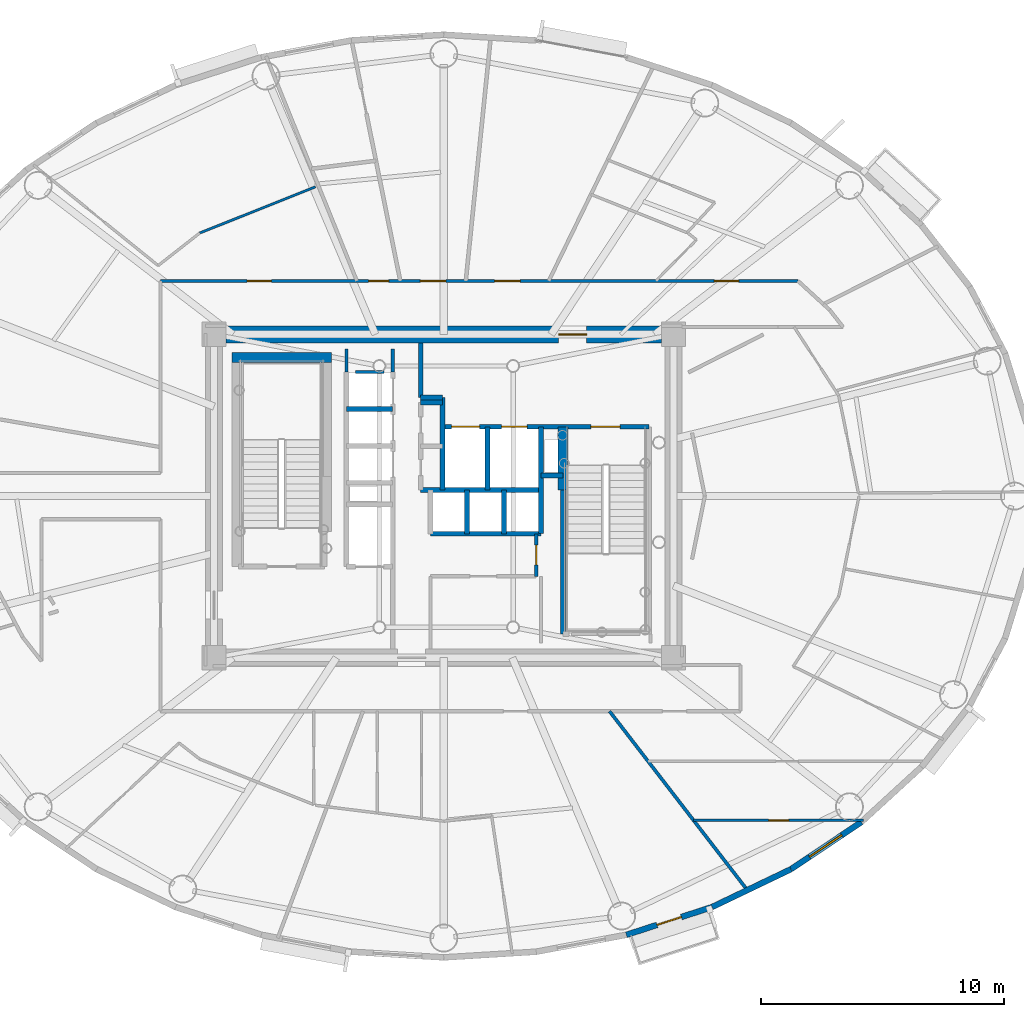
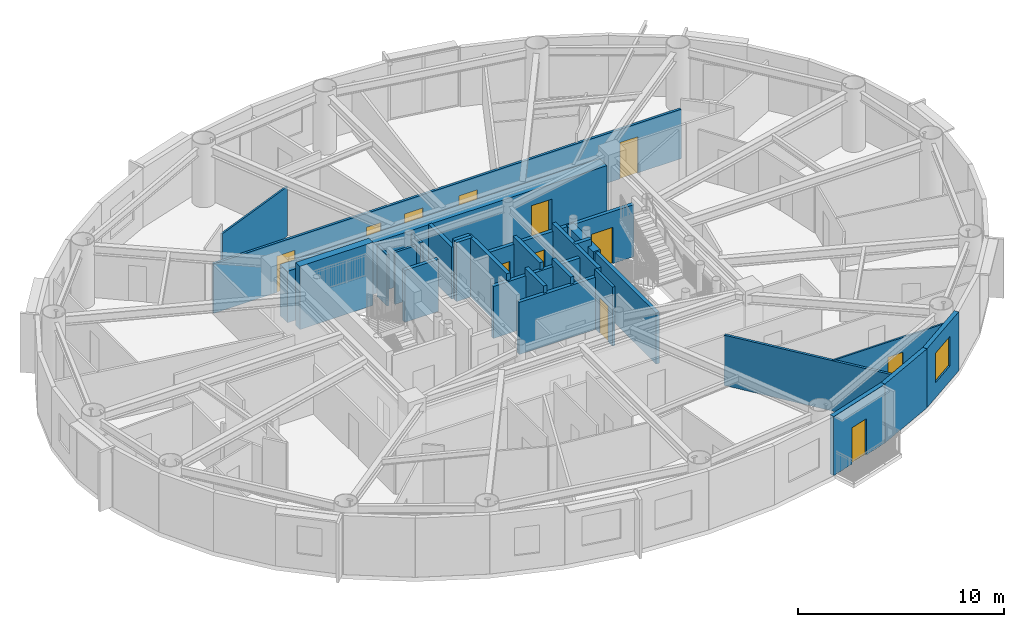
# One storey, part 8 of 18: 28 walls, 12 doors, 1 window, 13 openings.
"""IFC4 building model written with IfcOpenShell, lengths in metres."""

from ifc_helpers import new_model, si_unit, direction, frame, frame_2d, origin, origin_2d, place, context, subcontext, project, spatial, rectangle, extrude, source, transform, mapped, material, layer, layer_set, type_object, element, fill, save


model = new_model("IFC4")

# Units and contexts
model_context = context("Model", 3, precision=1e-05, world=origin(), true_north=direction((0.0, 1.0)))
body_context = subcontext(model_context, "Body", "Model", "MODEL_VIEW")
ifc_project = project(units=[si_unit("LENGTHUNIT", "METRE"), si_unit("AREAUNIT", "SQUARE_METRE"), si_unit("VOLUMEUNIT", "CUBIC_METRE"), si_unit("PLANEANGLEUNIT", "RADIAN"), si_unit("MASSUNIT", "GRAM", prefix="KILO")], contexts=[model_context])

# Site, building, storey
site_placement = place(None, origin())
site = spatial("IfcSite", under=ifc_project, at=site_placement, CompositionType="ELEMENT")
building_placement = place(site_placement, origin())
building = spatial("IfcBuilding", under=site, at=building_placement, Name="Linh Dai School and Residence Tower", CompositionType="ELEMENT")
storey_placement = place(building_placement, frame((0.0, 0.0, 225.300048828125)))
storey = spatial("IfcBuildingStorey", under=building, at=storey_placement, Name="L55", CompositionType="ELEMENT", Elevation=225.300048828125)

# Wall, opening, door
ifc_material_1 = material(Name="Precast Concrete B45 (C35/45)", Category="concrete")
ifc_layer_1 = layer(ifc_material_1, 0.239990234375)
ifc_layer_set_1 = layer_set([ifc_layer_1], Name="Precast Concrete B45 (C35/45)")
wall_type_1 = type_object("IfcWallType", Name="EW-TC-240", PredefinedType="SOLIDWALL", material=ifc_layer_set_1)
wall_1_placement = place(storey_placement, frame((47.031005859375, 10.093505859375, 0.0), z_axis=(0.0, 0.0, 1.0), x_axis=(-0.951210789182, -0.308541787354, 0.0)))
wall_1 = element("IfcWall", 1, at=wall_1_placement, inside=storey, type_object=wall_type_1, Name="L55 Terracotta Exterior Wall 33", PredefinedType="SOLIDWALL", context=body_context, shape_type="SweptSolid", body=[
    extrude(rectangle(XDim=3.702392578125, YDim=0.239990234375, at=frame_2d((1.85107421875, 0.0))), origin(), (0.0, 0.0, 1.0), 3.5),
])
opening_1_placement = place(wall_1_placement, frame((1.326171875, 0.0, 0.0)))
opening_1 = element("IfcOpeningElement", 2, at=opening_1_placement, cuts=wall_1, Name="Opening BD1", PredefinedType="OPENING", context=body_context, shape_type="SweptSolid", body=[
    extrude(rectangle(XDim=1.050048828125, YDim=2.14990234375, at=origin_2d()), frame((0.52490234375, 0.1298828125, 1.074951171875), z_axis=(0.0, -1.0, 0.0), x_axis=(1.0, 0.0, 0.0)), (0.0, 0.0, 1.0), 0.260009765625),
])
ifc_material_2 = material(Name="Double-Glazed Balcony Door", Category="glass")
door_type_1 = type_object("IfcDoorType", Name="DR-BALC-1050x2150", OperationType="NOTDEFINED", PredefinedType="DOOR", material=ifc_material_2)
shared_shape_1 = source(origin(), body_context, "Body", "SweptSolid", [
    extrude(rectangle(XDim=1.050048828125, YDim=2.14990234375, at=origin_2d()), frame((0.52490234375, 0.02490234375, 1.074951171875), z_axis=(0.0, -1.0, 0.0), x_axis=(1.0, 0.0, 0.0)), (0.0, 0.0, 1.0), 0.050048828125),
])
door_1_placement = place(opening_1_placement, origin())
door_1 = element("IfcDoor", 3, at=door_1_placement, inside=storey, type_object=door_type_1, Name="L55 Glazed Balcony Door 33", OperationType="SINGLE_SWING_LEFT", OverallHeight=2.14990234375, OverallWidth=1.050048828125, PredefinedType="DOOR", context=body_context, shape_type="MappedRepresentation", body=[
    mapped(shared_shape_1, transform((0.0, 0.0, 0.0), x_axis=(1.0, 0.0, 0.0), y_axis=(0.0, 1.0, 0.0), z_axis=(0.0, 0.0, 1.0), scale=1.0)),
])
fill(opening_1, door_1)

# Wall
wall_2_placement = place(storey_placement, frame((50.280029296875, 11.65234375, 0.0), z_axis=(0.0, 0.0, 1.0), x_axis=(-0.901598104751, -0.432574684313, 0.0)))
element("IfcWall", 4, at=wall_2_placement, inside=storey, type_object=wall_type_1, Name="L55 Terracotta Exterior Wall 34", PredefinedType="SOLIDWALL", context=body_context, shape_type="SweptSolid", body=[
    extrude(rectangle(XDim=3.603515625, YDim=0.239990234375, at=frame_2d((1.8017578125, 0.0))), origin(), (0.0, 0.0, 1.0), 3.5),
])

# Wall, opening, window
wall_3_placement = place(storey_placement, frame((53.17626953125, 13.589111328125, 0.0), z_axis=(0.0, 0.0, 1.0), x_axis=(-0.831262496074, -0.555880079352, 0.0)))
wall_3 = element("IfcWall", 5, at=wall_3_placement, inside=storey, type_object=wall_type_1, Name="L55 Terracotta Exterior Wall 35", PredefinedType="SOLIDWALL", context=body_context, shape_type="SweptSolid", body=[
    extrude(rectangle(XDim=3.484130859375, YDim=0.239990234375, at=frame_2d((1.7421875, 0.0))), origin(), (0.0, 0.0, 1.0), 3.5),
])
opening_2_placement = place(wall_3_placement, frame((0.968017578125, 0.0, 0.89990234375)))
opening_2 = element("IfcOpeningElement", 6, at=opening_2_placement, cuts=wall_3, Name="Opening W2", PredefinedType="OPENING", context=body_context, shape_type="SweptSolid", body=[
    extrude(rectangle(XDim=1.60009765625, YDim=1.75, at=origin_2d()), frame((0.800048828125, 0.1298828125, 0.875), z_axis=(0.0, -1.0, 0.0), x_axis=(1.0, 0.0, 0.0)), (0.0, 0.0, 1.0), 0.260009765625),
])
ifc_material_3 = material(Name="Double Low-E Insulated Glazing", Category="glass")
window_type = type_object("IfcWindowType", Name="WN-RES-1600x1750", PartitioningType="DOUBLE_PANEL_VERTICAL", PredefinedType="WINDOW", material=ifc_material_3)
shared_shape_2 = source(origin(), body_context, "Body", "SweptSolid", [
    extrude(rectangle(XDim=1.60009765625, YDim=1.75, at=origin_2d()), frame((0.800048828125, 0.030029296875, 0.875), z_axis=(0.0, -1.0, 0.0), x_axis=(1.0, 0.0, 0.0)), (0.0, 0.0, 1.0), 0.06005859375),
])
window_placement = place(opening_2_placement, origin())
window = element("IfcWindow", 7, at=window_placement, inside=storey, type_object=window_type, Name="L55 Exterior Window 35.1", OverallHeight=1.75, OverallWidth=1.60009765625, PartitioningType="DOUBLE_PANEL_VERTICAL", PredefinedType="WINDOW", context=body_context, shape_type="MappedRepresentation", body=[
    mapped(shared_shape_2, transform((0.0, 0.0, 0.0), x_axis=(1.0, 0.0, 0.0), y_axis=(0.0, 1.0, 0.0), z_axis=(0.0, 0.0, 1.0), scale=1.0)),
])
fill(opening_2, window)

# Wall, openings, doors
ifc_material_4 = material(Name="Autoclaved Aerated Concrete Blockwork", Category="masonry")
ifc_layer_2 = layer(ifc_material_4, 0.135009765625)
ifc_layer_set_2 = layer_set([ifc_layer_2], Name="Autoclaved Aerated Concrete Blockwork")
wall_type_2 = type_object("IfcWallType", Name="IW-CORR-135-EI90", PredefinedType="PARTITIONING", material=ifc_layer_set_2)
wall_4_placement = place(storey_placement, frame((24.35009765625, 35.85009765625, 0.0), z_axis=(0.0, 0.0, 1.0), x_axis=(1.0, 0.0, 0.0)))
wall_4 = element("IfcWall", 8, at=wall_4_placement, inside=storey, type_object=wall_type_2, Name="L55 Interior Partition Wall 021", PredefinedType="PARTITIONING", context=body_context, shape_type="SweptSolid", body=[
    extrude(rectangle(XDim=26.2177734375, YDim=0.135009765625, at=frame_2d((13.10888671875, 0.0))), origin(), (0.0, 0.0, 1.0), 2.93505859375),
])
opening_3_placement = place(wall_4_placement, frame((3.55712890625, 0.0, 0.0)))
opening_3 = element("IfcOpeningElement", 9, at=opening_3_placement, cuts=wall_4, Name="Opening D03", PredefinedType="OPENING", context=body_context, shape_type="SweptSolid", body=[
    extrude(rectangle(XDim=1.0, YDim=2.14990234375, at=origin_2d()), frame((0.5, 0.07763671875, 1.074951171875), z_axis=(0.0, -1.0, 0.0), x_axis=(1.0, 0.0, 0.0)), (0.0, 0.0, 1.0), 0.155029296875),
])
opening_4_placement = place(wall_4_placement, frame((22.776123046875, 0.0, 0.0)))
opening_4 = element("IfcOpeningElement", 10, at=opening_4_placement, cuts=wall_4, Name="Opening D03", PredefinedType="OPENING", context=body_context, shape_type="SweptSolid", body=[
    extrude(rectangle(XDim=1.0, YDim=2.14990234375, at=origin_2d()), frame((0.5, 0.07763671875, 1.074951171875), z_axis=(0.0, -1.0, 0.0), x_axis=(1.0, 0.0, 0.0)), (0.0, 0.0, 1.0), 0.155029296875),
])
opening_5_placement = place(wall_4_placement, frame((13.73583984375, 0.0, 0.0)))
opening_5 = element("IfcOpeningElement", 11, at=opening_5_placement, cuts=wall_4, Name="Opening D04", PredefinedType="OPENING", context=body_context, shape_type="SweptSolid", body=[
    extrude(rectangle(XDim=1.050048828125, YDim=2.14990234375, at=origin_2d()), frame((0.52490234375, 0.07763671875, 1.074951171875), z_axis=(0.0, -1.0, 0.0), x_axis=(1.0, 0.0, 0.0)), (0.0, 0.0, 1.0), 0.155029296875),
])
opening_6_placement = place(wall_4_placement, frame((10.68212890625, 0.0, 0.0)))
opening_6 = element("IfcOpeningElement", 12, at=opening_6_placement, cuts=wall_4, Name="Opening D04", PredefinedType="OPENING", context=body_context, shape_type="SweptSolid", body=[
    extrude(rectangle(XDim=1.050048828125, YDim=2.14990234375, at=origin_2d()), frame((0.52490234375, 0.07763671875, 1.074951171875), z_axis=(0.0, -1.0, 0.0), x_axis=(1.0, 0.0, 0.0)), (0.0, 0.0, 1.0), 0.155029296875),
])
opening_7_placement = place(wall_4_placement, frame((8.556640625, 0.0, 0.0)))
opening_7 = element("IfcOpeningElement", 13, at=opening_7_placement, cuts=wall_4, Name="Opening D06", PredefinedType="OPENING", context=body_context, shape_type="SweptSolid", body=[
    extrude(rectangle(XDim=0.820068359375, YDim=2.10009765625, at=origin_2d()), frame((0.41015625, 0.07763671875, 1.050048828125), z_axis=(0.0, -1.0, 0.0), x_axis=(1.0, 0.0, 0.0)), (0.0, 0.0, 1.0), 0.155029296875),
])
ifc_material_5 = material(Name="Acoustic Vision-Panel Timber Classroom Door", Category="wood")
door_type_2 = type_object("IfcDoorType", Name="DR-SCH-1050x2150-FD60S", OperationType="NOTDEFINED", PredefinedType="DOOR", material=ifc_material_5)
door_2_placement = place(opening_5_placement, origin())
door_2 = element("IfcDoor", 14, at=door_2_placement, inside=storey, type_object=door_type_2, Name="L55 Mid-High Sky Conservatory Salon Door", OperationType="SINGLE_SWING_RIGHT", OverallHeight=2.14990234375, OverallWidth=1.050048828125, PredefinedType="DOOR", context=body_context, shape_type="MappedRepresentation", body=[
    mapped(shared_shape_1, transform((0.0, 0.0, 0.0), x_axis=(1.0, 0.0, 0.0), y_axis=(0.0, 1.0, 0.0), z_axis=(0.0, 0.0, 1.0), scale=1.0)),
])
fill(opening_5, door_2)
door_3_placement = place(opening_6_placement, origin())
door_3 = element("IfcDoor", 15, at=door_3_placement, inside=storey, type_object=door_type_2, Name="L55 Mid-High Sky Conservatory Salon Reading Room Door", OperationType="SINGLE_SWING_LEFT", OverallHeight=2.14990234375, OverallWidth=1.050048828125, PredefinedType="DOOR", context=body_context, shape_type="MappedRepresentation", body=[
    mapped(shared_shape_1, transform((0.0, 0.0, 0.0), x_axis=(1.0, 0.0, 0.0), y_axis=(0.0, 1.0, 0.0), z_axis=(0.0, 0.0, 1.0), scale=1.0)),
])
fill(opening_6, door_3)
ifc_material_6 = material(Name="Moisture-Resistant Timber Bathroom Door", Category="wood")
door_type_3 = type_object("IfcDoorType", Name="DR-WET-820x2100", OperationType="NOTDEFINED", PredefinedType="DOOR", material=ifc_material_6)
shared_shape_3 = source(origin(), body_context, "Body", "SweptSolid", [
    extrude(rectangle(XDim=0.820068359375, YDim=2.10009765625, at=origin_2d()), frame((0.41015625, 0.02490234375, 1.050048828125), z_axis=(0.0, -1.0, 0.0), x_axis=(1.0, 0.0, 0.0)), (0.0, 0.0, 1.0), 0.050048828125),
])
door_4_placement = place(opening_7_placement, origin())
door_4 = element("IfcDoor", 16, at=door_4_placement, inside=storey, type_object=door_type_3, Name="L55 Amenity Accessible WC Door", OperationType="SINGLE_SWING_RIGHT", OverallHeight=2.10009765625, OverallWidth=0.820068359375, PredefinedType="DOOR", context=body_context, shape_type="MappedRepresentation", body=[
    mapped(shared_shape_3, transform((0.0, 0.0, 0.0), x_axis=(1.0, 0.0, 0.0), y_axis=(0.0, 1.0, 0.0), z_axis=(0.0, 0.0, 1.0), scale=1.0)),
])
fill(opening_7, door_4)
ifc_material_7 = material(Name="Fire-Rated Solid Timber Entrance Door", Category="wood")
door_type_4 = type_object("IfcDoorType", Name="DR-FLAT-1000x2150-FD60S", OperationType="NOTDEFINED", PredefinedType="DOOR", material=ifc_material_7)
shared_shape_4 = source(origin(), body_context, "Body", "SweptSolid", [
    extrude(rectangle(XDim=1.0, YDim=2.14990234375, at=origin_2d()), frame((0.5, 0.02490234375, 1.074951171875), z_axis=(0.0, -1.0, 0.0), x_axis=(1.0, 0.0, 0.0)), (0.0, 0.0, 1.0), 0.050048828125),
])
door_5_placement = place(opening_3_placement, origin())
door_5 = element("IfcDoor", 17, at=door_5_placement, inside=storey, type_object=door_type_4, Name="L55 U5501 Apartment Entrance Door", OperationType="SINGLE_SWING_RIGHT", OverallHeight=2.14990234375, OverallWidth=1.0, PredefinedType="DOOR", context=body_context, shape_type="MappedRepresentation", body=[
    mapped(shared_shape_4, transform((0.0, 0.0, 0.0), x_axis=(1.0, 0.0, 0.0), y_axis=(0.0, 1.0, 0.0), z_axis=(0.0, 0.0, 1.0), scale=1.0)),
])
fill(opening_3, door_5)
door_6_placement = place(opening_4_placement, origin())
door_6 = element("IfcDoor", 18, at=door_6_placement, inside=storey, type_object=door_type_4, Name="L55 U5505 Apartment Entrance Door", OperationType="SINGLE_SWING_LEFT", OverallHeight=2.14990234375, OverallWidth=1.0, PredefinedType="DOOR", context=body_context, shape_type="MappedRepresentation", body=[
    mapped(shared_shape_4, transform((0.0, 0.0, 0.0), x_axis=(1.0, 0.0, 0.0), y_axis=(0.0, 1.0, 0.0), z_axis=(0.0, 0.0, 1.0), scale=1.0)),
])
fill(opening_4, door_6)

# Wall, opening, door
wall_5_placement = place(storey_placement, frame((39.800048828125, 23.699951171875, 0.0), z_axis=(0.0, 0.0, 1.0), x_axis=(0.0, 1.0, 0.0)))
wall_5 = element("IfcWall", 19, at=wall_5_placement, inside=storey, type_object=wall_type_2, Name="L55 Interior Partition Wall 060", PredefinedType="PARTITIONING", context=body_context, shape_type="SweptSolid", body=[
    extrude(rectangle(XDim=1.75, YDim=0.135009765625, at=frame_2d((0.875, 0.0))), origin(), (0.0, 0.0, 1.0), 3.5),
])
opening_8_placement = place(wall_5_placement, frame((0.465087890625, 0.0, 0.0)))
opening_8 = element("IfcOpeningElement", 20, at=opening_8_placement, cuts=wall_5, Name="Opening D06", PredefinedType="OPENING", context=body_context, shape_type="SweptSolid", body=[
    extrude(rectangle(XDim=0.820068359375, YDim=2.10009765625, at=origin_2d()), frame((0.41015625, 0.07763671875, 1.050048828125), z_axis=(0.0, -1.0, 0.0), x_axis=(1.0, 0.0, 0.0)), (0.0, 0.0, 1.0), 0.155029296875),
])
door_7_placement = place(opening_8_placement, origin())
door_7 = element("IfcDoor", 21, at=door_7_placement, inside=storey, type_object=door_type_3, Name="L55 Core Housekeeping Store Door", OperationType="SINGLE_SWING_LEFT", OverallHeight=2.10009765625, OverallWidth=0.820068359375, PredefinedType="DOOR", context=body_context, shape_type="MappedRepresentation", body=[
    mapped(shared_shape_3, transform((0.0, 0.0, 0.0), x_axis=(1.0, 0.0, 0.0), y_axis=(0.0, 1.0, 0.0), z_axis=(0.0, 0.0, 1.0), scale=1.0)),
])
fill(opening_8, door_7)

# Walls
wall_6_placement = place(storey_placement, frame((42.81689453125, 18.14990234375, 0.0), z_axis=(0.0, 0.0, 1.0), x_axis=(0.610231128601, -0.792223434194, 0.0)))
element("IfcWall", 22, at=wall_6_placement, inside=storey, type_object=wall_type_2, Name="L55 Interior Partition Wall 068", PredefinedType="PARTITIONING", context=body_context, shape_type="SweptSolid", body=[
    extrude(rectangle(XDim=9.2939453125, YDim=0.135009765625, at=frame_2d((4.64697265625, 0.0))), origin(), (0.0, 0.0, 1.0), 2.98486328125),
])
wall_7_placement = place(storey_placement, frame((32.360107421875, 32.10009765625, 0.0), z_axis=(0.0, 0.0, 1.0), x_axis=(1.0, 0.0, 0.0)))
element("IfcWall", 23, at=wall_7_placement, inside=storey, type_object=wall_type_2, Name="L55 Interior Partition Wall 091", PredefinedType="PARTITIONING", context=body_context, shape_type="SweptSolid", body=[
    extrude(rectangle(XDim=1.179931640625, YDim=0.135009765625, at=frame_2d((0.58984375, 0.0))), origin(), (0.0, 0.0, 1.0), 3.0849609375),
])
wall_8_placement = place(storey_placement, frame((32.0, 33.0400390625, 0.0), z_axis=(0.0, 0.0, 1.0), x_axis=(0.0, -1.0, 0.0)))
element("IfcWall", 24, at=wall_8_placement, inside=storey, type_object=wall_type_2, Name="L55 Interior Partition Wall 093", PredefinedType="PARTITIONING", context=body_context, shape_type="SweptSolid", body=[
    extrude(rectangle(XDim=0.929931640625, YDim=0.135009765625, at=frame_2d((0.46484375, 0.0))), origin(), (0.0, 0.0, 1.0), 3.034912109375),
])
wall_9_placement = place(storey_placement, frame((33.89990234375, 32.110107421875, 0.0), z_axis=(0.0, 0.0, 1.0), x_axis=(0.0, 1.0, 0.0)))
element("IfcWall", 25, at=wall_9_placement, inside=storey, type_object=wall_type_2, Name="L55 Interior Partition Wall 095", PredefinedType="PARTITIONING", context=body_context, shape_type="SweptSolid", body=[
    extrude(rectangle(XDim=0.929931640625, YDim=0.135009765625, at=frame_2d((0.46484375, 0.0))), origin(), (0.0, 0.0, 1.0), 3.0849609375),
])
ifc_material_8 = material(Name="Concrete B45 (C35/45)", Category="concrete")
ifc_layer_3 = layer(ifc_material_8, 0.199951171875)
ifc_layer_set_3 = layer_set([ifc_layer_3], Name="Concrete B45 (C35/45)")
wall_type_3 = type_object("IfcWallType", Name="IW-SHAFT-200-EI120", PredefinedType="PARTITIONING", material=ifc_layer_set_3)
wall_10_placement = place(storey_placement, frame((32.0, 30.580078125, 0.0), z_axis=(0.0, 0.0, 1.0), x_axis=(1.0, 0.0, 0.0)))
element("IfcWall", 26, at=wall_10_placement, inside=storey, type_object=wall_type_3, Name="L55 Interior Partition Wall 037", PredefinedType="PARTITIONING", context=body_context, shape_type="SweptSolid", body=[
    extrude(rectangle(XDim=1.89990234375, YDim=0.199951171875, at=frame_2d((0.949951171875, 0.0))), origin(), (0.0, 0.0, 1.0), 3.0849609375),
])
wall_11_placement = place(storey_placement, frame((35.050048828125, 27.25, 0.0), z_axis=(0.0, 0.0, 1.0), x_axis=(1.0, 0.0, 0.0)))
element("IfcWall", 27, at=wall_11_placement, inside=storey, type_object=wall_type_3, Name="L55 Interior Partition Wall 042", PredefinedType="PARTITIONING", context=body_context, shape_type="SweptSolid", body=[
    extrude(rectangle(XDim=4.949951171875, YDim=0.199951171875, at=frame_2d((2.47509765625, 0.0))), origin(), (0.0, 0.0, 1.0), 3.0849609375),
])
wall_12_placement = place(storey_placement, frame((35.050048828125, 30.85009765625, 0.0), z_axis=(0.0, 0.0, 1.0), x_axis=(1.0, 0.0, 0.0)))
element("IfcWall", 28, at=wall_12_placement, inside=storey, type_object=wall_type_3, Name="L55 Interior Partition Wall 044", PredefinedType="PARTITIONING", context=body_context, shape_type="SweptSolid", body=[
    extrude(rectangle(XDim=0.89990234375, YDim=0.199951171875, at=frame_2d((0.449951171875, 0.0))), origin(), (0.0, 0.0, 1.0), 3.5),
])
wall_13_placement = place(storey_placement, frame((35.050048828125, 31.050048828125, 0.0), z_axis=(0.0, 0.0, 1.0), x_axis=(0.0, 1.0, 0.0)))
element("IfcWall", 29, at=wall_13_placement, inside=storey, type_object=wall_type_3, Name="L55 Interior Partition Wall 045", PredefinedType="PARTITIONING", context=body_context, shape_type="SweptSolid", body=[
    extrude(rectangle(XDim=2.25, YDim=0.199951171875, at=frame_2d((1.125, 0.0))), origin(), (0.0, 0.0, 1.0), 3.0849609375),
])
wall_14_placement = place(storey_placement, frame((35.050048828125, 31.050048828125, 0.0), z_axis=(0.0, 0.0, 1.0), x_axis=(1.0, 0.0, 0.0)))
element("IfcWall", 30, at=wall_14_placement, inside=storey, type_object=wall_type_3, Name="L55 Interior Partition Wall 046", PredefinedType="PARTITIONING", context=body_context, shape_type="SweptSolid", body=[
    extrude(rectangle(XDim=0.89990234375, YDim=0.199951171875, at=frame_2d((0.449951171875, 0.0))), origin(), (0.0, 0.0, 1.0), 3.5),
])
wall_15_placement = place(storey_placement, frame((35.449951171875, 25.449951171875, 0.0), z_axis=(0.0, 0.0, 1.0), x_axis=(1.0, 0.0, 0.0)))
element("IfcWall", 31, at=wall_15_placement, inside=storey, type_object=wall_type_3, Name="L55 Interior Partition Wall 051", PredefinedType="PARTITIONING", context=body_context, shape_type="SweptSolid", body=[
    extrude(rectangle(XDim=4.550048828125, YDim=0.199951171875, at=frame_2d((2.27490234375, 0.0))), origin(), (0.0, 0.0, 1.0), 3.0849609375),
])
wall_16_placement = place(storey_placement, frame((35.949951171875, 27.25, 0.0), z_axis=(0.0, 0.0, 1.0), x_axis=(0.0, 1.0, 0.0)))
element("IfcWall", 32, at=wall_16_placement, inside=storey, type_object=wall_type_3, Name="L55 Interior Partition Wall 052", PredefinedType="PARTITIONING", context=body_context, shape_type="SweptSolid", body=[
    extrude(rectangle(XDim=3.800048828125, YDim=0.199951171875, at=frame_2d((1.89990234375, 0.0))), origin(), (0.0, 0.0, 1.0), 3.5),
])

# Wall, openings, doors
wall_17_placement = place(storey_placement, frame((35.949951171875, 29.85009765625, 0.0), z_axis=(0.0, 0.0, 1.0), x_axis=(1.0, 0.0, 0.0)))
wall_17 = element("IfcWall", 33, at=wall_17_placement, inside=storey, type_object=wall_type_3, Name="L55 Interior Partition Wall 053", PredefinedType="PARTITIONING", context=body_context, shape_type="SweptSolid", body=[
    extrude(rectangle(XDim=8.489990234375, YDim=0.199951171875, at=frame_2d((4.2451171875, 0.0))), origin(), (0.0, 0.0, 1.0), 3.0849609375),
])
opening_9_placement = place(wall_17_placement, frame((6.10009765625, 0.0, 0.0)))
opening_9 = element("IfcOpeningElement", 34, at=opening_9_placement, cuts=wall_17, Name="Opening D01", PredefinedType="OPENING", context=body_context, shape_type="SweptSolid", body=[
    extrude(rectangle(XDim=1.199951171875, YDim=2.14990234375, at=origin_2d()), frame((0.60009765625, 0.10986328125, 1.074951171875), z_axis=(0.0, -1.0, 0.0), x_axis=(1.0, 0.0, 0.0)), (0.0, 0.0, 1.0), 0.219970703125),
])
opening_10_placement = place(wall_17_placement, frame((0.3701171875, 0.0, 0.0)))
opening_10 = element("IfcOpeningElement", 35, at=opening_10_placement, cuts=wall_17, Name="Opening LD-FF1", PredefinedType="OPENING", context=body_context, shape_type="SweptSolid", body=[
    extrude(rectangle(XDim=1.14990234375, YDim=2.14990234375, at=origin_2d()), frame((0.574951171875, 0.10986328125, 1.074951171875), z_axis=(0.0, -1.0, 0.0), x_axis=(1.0, 0.0, 0.0)), (0.0, 0.0, 1.0), 0.219970703125),
])
opening_11_placement = place(wall_17_placement, frame((2.425048828125, 0.0, 0.0)))
opening_11 = element("IfcOpeningElement", 36, at=opening_11_placement, cuts=wall_17, Name="Opening LD-SV1", PredefinedType="OPENING", context=body_context, shape_type="SweptSolid", body=[
    extrude(rectangle(XDim=1.050048828125, YDim=2.14990234375, at=origin_2d()), frame((0.52490234375, 0.10986328125, 1.074951171875), z_axis=(0.0, -1.0, 0.0), x_axis=(1.0, 0.0, 0.0)), (0.0, 0.0, 1.0), 0.219970703125),
])
ifc_material_9 = material(Name="Fire-Rated Steel Door Leaf", Category="steel")
door_type_5 = type_object("IfcDoorType", Name="DR-STAIR-1200x2150-FD90S", OperationType="NOTDEFINED", PredefinedType="DOOR", material=ifc_material_9)
shared_shape_5 = source(origin(), body_context, "Body", "SweptSolid", [
    extrude(rectangle(XDim=1.199951171875, YDim=2.14990234375, at=origin_2d()), frame((0.60009765625, 0.02490234375, 1.074951171875), z_axis=(0.0, -1.0, 0.0), x_axis=(1.0, 0.0, 0.0)), (0.0, 0.0, 1.0), 0.050048828125),
])
door_8_placement = place(opening_9_placement, origin())
door_8 = element("IfcDoor", 37, at=door_8_placement, inside=storey, type_object=door_type_5, Name="L55 Core Smokeproof Exit Stair ST2 Door", OperationType="SINGLE_SWING_LEFT", OverallHeight=2.14990234375, OverallWidth=1.199951171875, PredefinedType="DOOR", context=body_context, shape_type="MappedRepresentation", body=[
    mapped(shared_shape_5, transform((0.0, 0.0, 0.0), x_axis=(1.0, 0.0, 0.0), y_axis=(0.0, 1.0, 0.0), z_axis=(0.0, 0.0, 1.0), scale=1.0)),
])
fill(opening_9, door_8)
ifc_material_10 = material(Name="Fire-Rated Stainless Steel Firefighting Lift Door", Category="steel")
door_type_6 = type_object("IfcDoorType", Name="DR-LD-FF-1150x2150-FD120", OperationType="DOUBLE_DOOR_SLIDING", PredefinedType="USERDEFINED", material=ifc_material_10)
shared_shape_6 = source(origin(), body_context, "Body", "SweptSolid", [
    extrude(rectangle(XDim=1.14990234375, YDim=2.14990234375, at=origin_2d()), frame((0.574951171875, 0.02490234375, 1.074951171875), z_axis=(0.0, -1.0, 0.0), x_axis=(1.0, 0.0, 0.0)), (0.0, 0.0, 1.0), 0.050048828125),
])
door_9_placement = place(opening_10_placement, origin())
door_9 = element("IfcDoor", 38, at=door_9_placement, inside=storey, type_object=door_type_6, Name="L55 Lift FF1 Sliding Landing Door", ObjectType="LANDING DOOR", OperationType="DOUBLE_DOOR_SLIDING", OverallHeight=2.14990234375, OverallWidth=1.14990234375, PredefinedType="USERDEFINED", context=body_context, shape_type="MappedRepresentation", body=[
    mapped(shared_shape_6, transform((0.0, 0.0, 0.0), x_axis=(1.0, 0.0, 0.0), y_axis=(0.0, 1.0, 0.0), z_axis=(0.0, 0.0, 1.0), scale=1.0)),
])
fill(opening_10, door_9)
ifc_material_11 = material(Name="Brushed Stainless Steel Lift Landing Door", Category="steel")
door_type_7 = type_object("IfcDoorType", Name="DR-LD-PASS-1050x2150", OperationType="DOUBLE_DOOR_SLIDING", PredefinedType="USERDEFINED", material=ifc_material_11)
shared_shape_7 = source(origin(), body_context, "Body", "SweptSolid", [
    extrude(rectangle(XDim=1.050048828125, YDim=2.14990234375, at=origin_2d()), frame((0.52490234375, 0.02490234375, 1.074951171875), z_axis=(0.0, -1.0, 0.0), x_axis=(1.0, 0.0, 0.0)), (0.0, 0.0, 1.0), 0.050048828125),
])
door_10_placement = place(opening_11_placement, origin())
door_10 = element("IfcDoor", 39, at=door_10_placement, inside=storey, type_object=door_type_7, Name="L55 Lift SV1 Sliding Landing Door", ObjectType="LANDING DOOR", OperationType="DOUBLE_DOOR_SLIDING", OverallHeight=2.14990234375, OverallWidth=1.050048828125, PredefinedType="USERDEFINED", context=body_context, shape_type="MappedRepresentation", body=[
    mapped(shared_shape_7, transform((0.0, 0.0, 0.0), x_axis=(1.0, 0.0, 0.0), y_axis=(0.0, 1.0, 0.0), z_axis=(0.0, 0.0, 1.0), scale=1.0)),
])
fill(opening_11, door_10)

# Walls
wall_18_placement = place(storey_placement, frame((36.9599609375, 25.449951171875, 0.0), z_axis=(0.0, 0.0, 1.0), x_axis=(0.0, 1.0, 0.0)))
element("IfcWall", 40, at=wall_18_placement, inside=storey, type_object=wall_type_3, Name="L55 Interior Partition Wall 056", PredefinedType="PARTITIONING", context=body_context, shape_type="SweptSolid", body=[
    extrude(rectangle(XDim=1.800048828125, YDim=0.199951171875, at=frame_2d((0.89990234375, 0.0))), origin(), (0.0, 0.0, 1.0), 3.5),
])
wall_19_placement = place(storey_placement, frame((37.800048828125, 27.25, 0.0), z_axis=(0.0, 0.0, 1.0), x_axis=(0.0, 1.0, 0.0)))
element("IfcWall", 41, at=wall_19_placement, inside=storey, type_object=wall_type_3, Name="L55 Interior Partition Wall 057", PredefinedType="PARTITIONING", context=body_context, shape_type="SweptSolid", body=[
    extrude(rectangle(XDim=2.60009765625, YDim=0.199951171875, at=frame_2d((1.300048828125, 0.0))), origin(), (0.0, 0.0, 1.0), 3.5),
])
wall_20_placement = place(storey_placement, frame((38.47998046875, 25.449951171875, 0.0), z_axis=(0.0, 0.0, 1.0), x_axis=(0.0, 1.0, 0.0)))
element("IfcWall", 42, at=wall_20_placement, inside=storey, type_object=wall_type_3, Name="L55 Interior Partition Wall 059", PredefinedType="PARTITIONING", context=body_context, shape_type="SweptSolid", body=[
    extrude(rectangle(XDim=1.800048828125, YDim=0.199951171875, at=frame_2d((0.89990234375, 0.0))), origin(), (0.0, 0.0, 1.0), 3.5),
])
wall_21_placement = place(storey_placement, frame((40.0, 25.449951171875, 0.0), z_axis=(0.0, 0.0, 1.0), x_axis=(0.0, 1.0, 0.0)))
element("IfcWall", 43, at=wall_21_placement, inside=storey, type_object=wall_type_3, Name="L55 Interior Partition Wall 061", PredefinedType="PARTITIONING", context=body_context, shape_type="SweptSolid", body=[
    extrude(rectangle(XDim=4.400146484375, YDim=0.199951171875, at=frame_2d((2.2001953125, 0.0))), origin(), (0.0, 0.0, 1.0), 3.5),
])
wall_22_placement = place(storey_placement, frame((40.0, 27.85009765625, 0.0), z_axis=(0.0, 0.0, 1.0), x_axis=(1.0, 0.0, 0.0)))
element("IfcWall", 44, at=wall_22_placement, inside=storey, type_object=wall_type_3, Name="L55 Interior Partition Wall 062", PredefinedType="PARTITIONING", context=body_context, shape_type="SweptSolid", body=[
    extrude(rectangle(XDim=0.89990234375, YDim=0.199951171875, at=frame_2d((0.449951171875, 0.0))), origin(), (0.0, 0.0, 1.0), 3.5),
])
wall_23_placement = place(storey_placement, frame((40.89990234375, 21.330078125, 0.0), z_axis=(0.0, 0.0, 1.0), x_axis=(0.0, 1.0, 0.0)))
element("IfcWall", 45, at=wall_23_placement, inside=storey, type_object=wall_type_3, Name="L55 Interior Partition Wall 064", PredefinedType="PARTITIONING", context=body_context, shape_type="SweptSolid", body=[
    extrude(rectangle(XDim=5.909912109375, YDim=0.199951171875, at=frame_2d((2.955078125, 0.0))), origin(), (0.0, 0.0, 1.0), 3.034912109375),
])
ifc_material_12 = material(Name="Gypsum Plasterboard Acoustic Stud Partition", Category="masonry")
ifc_layer_4 = layer(ifc_material_12, 0.10009765625)
ifc_layer_set_4 = layer_set([ifc_layer_4], Name="Gypsum Plasterboard Acoustic Stud Partition")
wall_type_4 = type_object("IfcWallType", Name="IW-UNIT-100", PredefinedType="PARTITIONING", material=ifc_layer_set_4)
wall_24_placement = place(storey_placement, frame((25.960693359375, 37.8193359375, 0.0), z_axis=(0.0, 0.0, 1.0), x_axis=(0.928801505367, 0.370577608105, 0.0)))
element("IfcWall", 46, at=wall_24_placement, inside=storey, type_object=wall_type_4, Name="L55 Interior Partition Wall 024", PredefinedType="PARTITIONING", context=body_context, shape_type="SweptSolid", body=[
    extrude(rectangle(XDim=5.126220703125, YDim=0.10009765625, at=frame_2d((2.56298828125, 0.0))), origin(), (0.0, 0.0, 1.0), 2.93505859375),
])

# Wall, opening, door
wall_25_placement = place(storey_placement, frame((46.276123046875, 13.6591796875, 0.0), z_axis=(0.0, 0.0, 1.0), x_axis=(1.0, 0.0, 0.0)))
wall_25 = element("IfcWall", 47, at=wall_25_placement, inside=storey, type_object=wall_type_4, Name="L55 Interior Partition Wall 075", PredefinedType="PARTITIONING", context=body_context, shape_type="SweptSolid", body=[
    extrude(rectangle(XDim=6.98388671875, YDim=0.10009765625, at=frame_2d((3.491943359375, 0.0))), origin(), (0.0, 0.0, 1.0), 2.98486328125),
])
opening_12_placement = place(wall_25_placement, frame((3.081787109375, 0.0, 0.0)))
opening_12 = element("IfcOpeningElement", 48, at=opening_12_placement, cuts=wall_25, Name="Opening D06", PredefinedType="OPENING", context=body_context, shape_type="SweptSolid", body=[
    extrude(rectangle(XDim=0.820068359375, YDim=2.10009765625, at=origin_2d()), frame((0.41015625, 0.06005859375, 1.050048828125), z_axis=(0.0, -1.0, 0.0), x_axis=(1.0, 0.0, 0.0)), (0.0, 0.0, 1.0), 0.1201171875),
])
door_11_placement = place(opening_12_placement, origin())
door_11 = element("IfcDoor", 49, at=door_11_placement, inside=storey, type_object=door_type_3, Name="L55 Apartment U5504 Bathroom 1 Door", OperationType="SINGLE_SWING_RIGHT", OverallHeight=2.10009765625, OverallWidth=0.820068359375, PredefinedType="DOOR", context=body_context, shape_type="MappedRepresentation", body=[
    mapped(shared_shape_3, transform((0.0, 0.0, 0.0), x_axis=(1.0, 0.0, 0.0), y_axis=(0.0, 1.0, 0.0), z_axis=(0.0, 0.0, 1.0), scale=1.0)),
])
fill(opening_12, door_11)

# Walls
ifc_layer_5 = layer(ifc_material_8, 0.39990234375)
ifc_layer_set_5 = layer_set([ifc_layer_5], Name="Concrete B45 (C35/45)")
wall_type_5 = type_object("IfcWallType", Name="WL-CORE400", PredefinedType="SHEAR", material=ifc_layer_set_5)
wall_26_placement = place(storey_placement, frame((27.280029296875, 32.699951171875, 0.0), z_axis=(0.0, 0.0, 1.0), x_axis=(1.0, 0.0, 0.0)))
element("IfcWall", 50, at=wall_26_placement, inside=storey, type_object=wall_type_5, Name="L55 Core Stair ST1 Bearing Wall N", PredefinedType="SHEAR", context=body_context, shape_type="SweptSolid", body=[
    extrude(rectangle(XDim=4.099853515625, YDim=0.39990234375, at=frame_2d((2.0498046875, 0.0))), origin(), (0.0, 0.0, 1.0), 3.75),
])
wall_27_placement = place(storey_placement, frame((40.89990234375, 27.25, 0.0), z_axis=(0.0, 0.0, 1.0), x_axis=(0.0, 1.0, 0.0)))
element("IfcWall", 51, at=wall_27_placement, inside=storey, type_object=wall_type_5, Name="L55 Internal Core Shear Wall IE", PredefinedType="SHEAR", context=body_context, shape_type="SweptSolid", body=[
    extrude(rectangle(XDim=2.60009765625, YDim=0.39990234375, at=frame_2d((1.300048828125, 0.0))), origin(), (0.0, 0.0, 1.0), 3.099853515625),
])

# Wall, opening, door
ifc_layer_6 = layer(ifc_material_8, 0.699951171875)
ifc_layer_set_6 = layer_set([ifc_layer_6], Name="Concrete B45 (C35/45)")
wall_type_6 = type_object("IfcWallType", Name="WL-CORE700", PredefinedType="SHEAR", material=ifc_layer_set_6)
wall_28_placement = place(storey_placement, frame((27.050048828125, 33.64990234375, 0.0), z_axis=(0.0, 0.0, 1.0), x_axis=(1.0, 0.0, 0.0)))
wall_28 = element("IfcWall", 52, at=wall_28_placement, inside=storey, type_object=wall_type_6, Name="L55 Central Core Shear Wall N", PredefinedType="SHEAR", context=body_context, shape_type="SweptSolid", body=[
    extrude(rectangle(XDim=17.89990234375, YDim=0.699951171875, at=frame_2d((8.949951171875, 0.0))), origin(), (0.0, 0.0, 1.0), 3.050048828125),
])
opening_13_placement = place(wall_28_placement, frame((13.675048828125, 0.0, 0.0)))
opening_13 = element("IfcOpeningElement", 53, at=opening_13_placement, cuts=wall_28, Name="Opening D02", PredefinedType="OPENING", context=body_context, shape_type="SweptSolid", body=[
    extrude(rectangle(XDim=1.14990234375, YDim=2.14990234375, at=origin_2d()), frame((0.574951171875, 0.35986328125, 1.074951171875), z_axis=(0.0, -1.0, 0.0), x_axis=(1.0, 0.0, 0.0)), (0.0, 0.0, 1.0), 0.719970703125),
])
ifc_material_13 = material(Name="Fire-Rated Glazed Steel Lobby Door", Category="steel")
door_type_8 = type_object("IfcDoorType", Name="DR-LOBBY-1150x2150-FD90S", OperationType="NOTDEFINED", PredefinedType="DOOR", material=ifc_material_13)
shared_shape_8 = source(origin(), body_context, "Body", "SweptSolid", [
    extrude(rectangle(XDim=1.14990234375, YDim=2.14990234375, at=origin_2d()), frame((0.574951171875, 0.02490234375, 1.074951171875), z_axis=(0.0, -1.0, 0.0), x_axis=(1.0, 0.0, 0.0)), (0.0, 0.0, 1.0), 0.050048828125),
])
door_12_placement = place(opening_13_placement, origin())
door_12 = element("IfcDoor", 54, at=door_12_placement, inside=storey, type_object=door_type_8, Name="L55 Firefighting Lobby Door", OperationType="SINGLE_SWING_RIGHT", OverallHeight=2.14990234375, OverallWidth=1.14990234375, PredefinedType="DOOR", context=body_context, shape_type="MappedRepresentation", body=[
    mapped(shared_shape_8, transform((0.0, 0.0, 0.0), x_axis=(1.0, 0.0, 0.0), y_axis=(0.0, 1.0, 0.0), z_axis=(0.0, 0.0, 1.0), scale=1.0)),
])
fill(opening_13, door_12)

save(model, "model.ifc")
